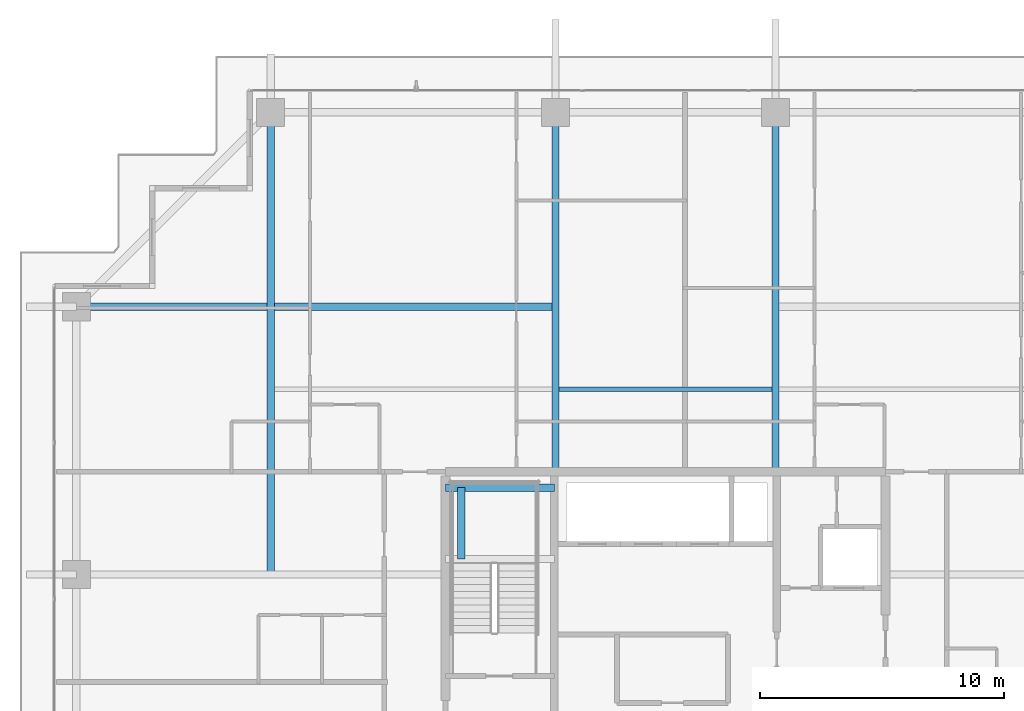
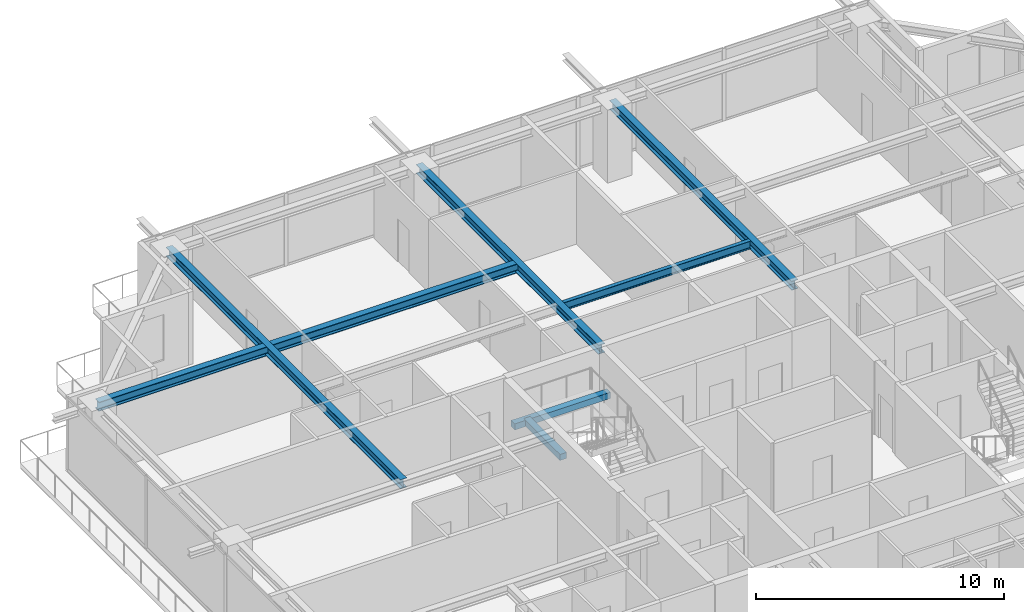
# One storey, part 19 of 37: 7 beams.
"""IFC4 building model written with IfcOpenShell, lengths in metres."""

from ifc_helpers import new_model, si_unit, direction, frame, origin, origin_2d, place, context, subcontext, project, spatial, rectangle, i_section, extrude, source, transform, mapped, material, material_profile, profile_set, type_object, element, save


model = new_model("IFC4")

# Units and contexts
model_context = context("Model", 3, precision=1e-05, world=origin(), true_north=direction((0.0, 1.0)))
body_context = subcontext(model_context, "Body", "Model", "MODEL_VIEW")
ifc_project = project(units=[si_unit("LENGTHUNIT", "METRE"), si_unit("AREAUNIT", "SQUARE_METRE"), si_unit("VOLUMEUNIT", "CUBIC_METRE"), si_unit("PLANEANGLEUNIT", "RADIAN"), si_unit("MASSUNIT", "GRAM", prefix="KILO")], contexts=[model_context])

# Site, building, storey
site_placement = place(None, origin())
site = spatial("IfcSite", under=ifc_project, at=site_placement, CompositionType="ELEMENT")
building_placement = place(site_placement, origin())
building = spatial("IfcBuilding", under=site, at=building_placement, Name="Serunith Strait Residences", CompositionType="ELEMENT")
storey_placement = place(building_placement, frame((0.0, 0.0, 275.89990234375)))
storey = spatial("IfcBuildingStorey", under=building, at=storey_placement, Name="L69", CompositionType="ELEMENT", Elevation=275.89990234375)

# Beams
ifc_material_1 = material(Name="Steel S355J2", Category="steel")
ifc_material_profile_1 = material_profile(ifc_material_1, i_section(OverallWidth=0.179931640625, OverallDepth=0.39990234375, WebThickness=0.008544921875, FlangeThickness=0.013427734375, FilletRadius=0.02099609375, at=origin_2d()), Name="IPE 400")
ifc_profile_set_1 = profile_set([ifc_material_profile_1], Name="Steel S355J2")
beam_type_1 = type_object("IfcBeamType", Name="BM-IPE400", PredefinedType="JOIST", material=ifc_profile_set_1)
shared_shape_1 = source(origin(), body_context, "Body", "SweptSolid", [
    extrude(i_section(OverallWidth=0.179931640625, OverallDepth=0.39990234375, WebThickness=0.008544921875, FlangeThickness=0.013427734375, FilletRadius=0.02099609375, at=origin_2d()), origin(), (0.0, 0.0, 1.0), 8.699951171875),
])
beam_1_placement = place(storey_placement, frame((28.050048828125, 36.97509765625, 3.38720703125), z_axis=(1.0, 0.0, 0.0), x_axis=(0.0, 1.0, 0.0)))
element("IfcBeam", 1, at=beam_1_placement, inside=storey, type_object=beam_type_1, Name="L69 Composite Floor Joist 05", PredefinedType="JOIST", context=body_context, shape_type="MappedRepresentation", body=[
    mapped(shared_shape_1, transform((0.0, 0.0, 0.0), scale=1.0)),
])
ifc_material_profile_2 = material_profile(ifc_material_1, i_section(OverallWidth=0.300048828125, OverallDepth=0.449951171875, WebThickness=0.013916015625, FlangeThickness=0.02587890625, FilletRadius=0.027099609375, at=origin_2d()), Name="HEB 450")
ifc_profile_set_2 = profile_set([ifc_material_profile_2], Name="Steel S355J2")
beam_type_2 = type_object("IfcBeamType", Name="BM-HEB450", PredefinedType="BEAM", material=ifc_profile_set_2)
shared_shape_2 = source(origin(), body_context, "Body", "SweptSolid", [
    extrude(i_section(OverallWidth=0.300048828125, OverallDepth=0.449951171875, WebThickness=0.013916015625, FlangeThickness=0.02587890625, FilletRadius=0.027099609375, at=origin_2d()), origin(), (0.0, 0.0, 1.0), 14.699951171875),
])
for number, where, z_axis, x_axis, name in (
    (2, (27.89990234375, 33.60009765625, 3.362060546875), (0.0, 1.0, 0.0), (-1.0, 0.0, 0.0), "L69 Primary Floor Girder TC-N2"),
    (3, (36.89990234375, 33.60009765625, 3.362060546875), (0.0, 1.0, 0.0), (-1.0, 0.0, 0.0), "L69 Primary Floor Girder TC-N3"),
):
    element("IfcBeam", number, at=place(storey_placement, frame(where, z_axis=z_axis, x_axis=x_axis)), inside=storey, type_object=beam_type_2, Name=name, PredefinedType="BEAM", context=body_context, shape_type="MappedRepresentation", body=[
        mapped(shared_shape_2, transform((0.0, 0.0, 0.0), scale=1.0)),
    ])
shared_shape_3 = source(origin(), body_context, "Body", "SweptSolid", [
    extrude(i_section(OverallWidth=0.300048828125, OverallDepth=0.449951171875, WebThickness=0.013916015625, FlangeThickness=0.02587890625, FilletRadius=0.027099609375, at=origin_2d()), origin(), (0.0, 0.0, 1.0), 18.900146484375),
])
beam_2_placement = place(storey_placement, frame((16.25, 29.39990234375, 3.362060546875), z_axis=(0.0, 1.0, 0.0), x_axis=(-1.0, 0.0, 0.0)))
element("IfcBeam", 4, at=beam_2_placement, inside=storey, type_object=beam_type_2, Name="L69 Orthogonal Corner Girder TC-N1", PredefinedType="BEAM", context=body_context, shape_type="MappedRepresentation", body=[
    mapped(shared_shape_3, transform((0.0, 0.0, 0.0), scale=1.0)),
])
shared_shape_4 = source(origin(), body_context, "Body", "SweptSolid", [
    extrude(i_section(OverallWidth=0.300048828125, OverallDepth=0.449951171875, WebThickness=0.013916015625, FlangeThickness=0.02587890625, FilletRadius=0.027099609375, at=origin_2d()), origin(), (0.0, 0.0, 1.0), 19.599853515625),
])
beam_3_placement = place(storey_placement, frame((27.89990234375, 40.35009765625, 3.362060546875), z_axis=(-1.0, 0.0, 0.0), x_axis=(0.0, -1.0, 0.0)))
element("IfcBeam", 5, at=beam_3_placement, inside=storey, type_object=beam_type_2, Name="L69 Orthogonal Corner Girder TC-W4", PredefinedType="BEAM", context=body_context, shape_type="MappedRepresentation", body=[
    mapped(shared_shape_4, transform((0.0, 0.0, 0.0), scale=1.0)),
])
ifc_material_2 = material(Name="Concrete C60/75", Category="concrete")
ifc_material_profile_3 = material_profile(ifc_material_2, rectangle(XDim=0.300048828125, YDim=0.300048828125, at=origin_2d()), Name="RC 300x300")
ifc_profile_set_3 = profile_set([ifc_material_profile_3], Name="Concrete C60/75")
beam_type_3 = type_object("IfcBeamType", Name="BM-LAND-300x300", PredefinedType="BEAM", material=ifc_profile_set_3)
shared_shape_5 = source(origin(), body_context, "Body", "SweptSolid", [
    extrude(rectangle(XDim=0.300048828125, YDim=0.300048828125, at=origin_2d()), origin(), (0.0, 0.0, 1.0), 4.4501953125),
])
beam_4_placement = place(storey_placement, frame((23.39990234375, 32.949951171875, 1.5751953125), z_axis=(1.0, 0.0, 0.0), x_axis=(0.0, 1.0, 0.0)))
element("IfcBeam", 6, at=beam_4_placement, inside=storey, type_object=beam_type_3, Name="L69 ST-1 Landing Support Beam 2", PredefinedType="BEAM", context=body_context, shape_type="MappedRepresentation", body=[
    mapped(shared_shape_5, transform((0.0, 0.0, 0.0), scale=1.0)),
])
shared_shape_6 = source(origin(), body_context, "Body", "SweptSolid", [
    extrude(rectangle(XDim=0.300048828125, YDim=0.300048828125, at=origin_2d()), origin(), (0.0, 0.0, 1.0), 2.919921875),
])
beam_5_placement = place(storey_placement, frame((24.050048828125, 30.030029296875, 1.5751953125), z_axis=(0.0, 1.0, 0.0), x_axis=(-1.0, 0.0, 0.0)))
element("IfcBeam", 7, at=beam_5_placement, inside=storey, type_object=beam_type_3, Name="L69 ST-1 Landing Transverse Tie Beam", PredefinedType="BEAM", context=body_context, shape_type="MappedRepresentation", body=[
    mapped(shared_shape_6, transform((0.0, 0.0, 0.0), scale=1.0)),
])

save(model, "model.ifc")
